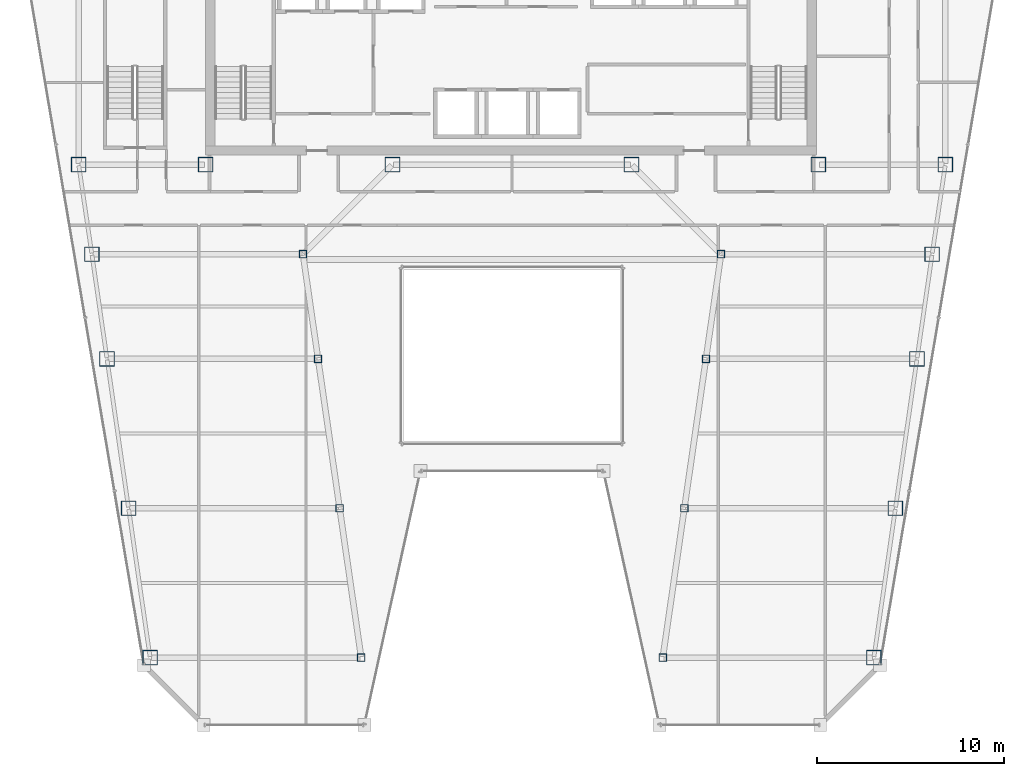
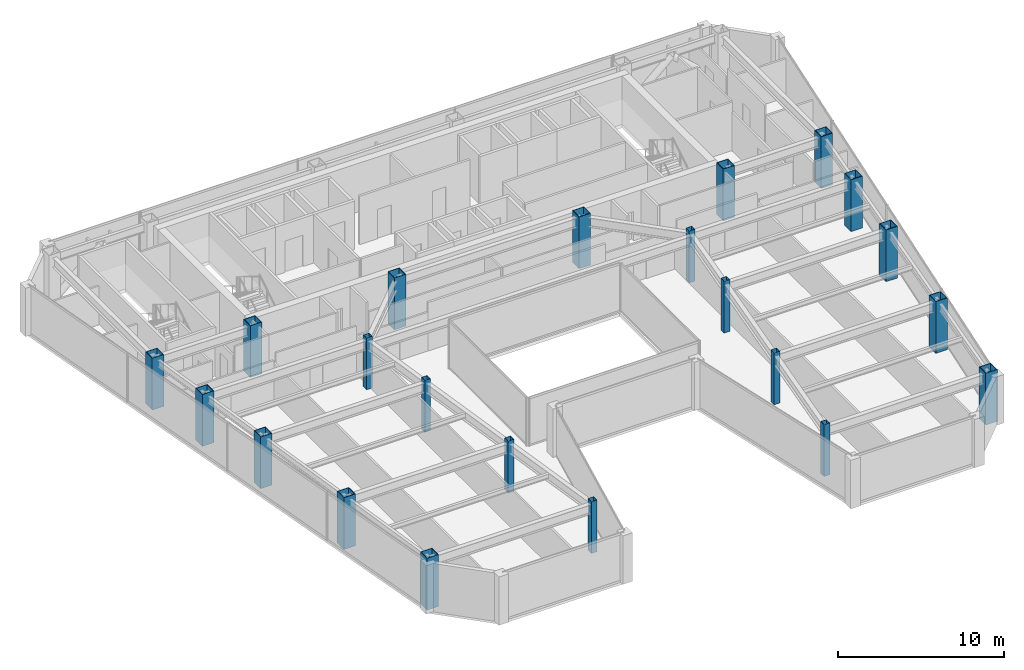
# One storey, part 1 of 36: 22 columns.
"""IFC4 building model written with IfcOpenShell, lengths in metres."""

from ifc_helpers import new_model, si_unit, direction, frame, origin, origin_2d, place, context, subcontext, project, spatial, hollow_rectangle, extrude, material, material_profile, profile_set, type_object, element, save


model = new_model("IFC4")

# Units and contexts
model_context = context("Model", 3, precision=1e-05, world=origin(), true_north=direction((0.0, 1.0)))
body_context = subcontext(model_context, "Body", "Model", "MODEL_VIEW")
ifc_project = project(units=[si_unit("LENGTHUNIT", "METRE"), si_unit("AREAUNIT", "SQUARE_METRE"), si_unit("VOLUMEUNIT", "CUBIC_METRE"), si_unit("PLANEANGLEUNIT", "RADIAN"), si_unit("MASSUNIT", "GRAM", prefix="KILO")], contexts=[model_context])

# Site, building, storey
site_placement = place(None, origin())
site = spatial("IfcSite", under=ifc_project, at=site_placement, CompositionType="ELEMENT")
building_placement = place(site_placement, origin())
building = spatial("IfcBuilding", under=site, at=building_placement, Name="Saevonmaru Cultural Tower", CompositionType="ELEMENT")
storey_placement = place(building_placement, frame((0.0, 0.0, 182.800048828125)))
storey = spatial("IfcBuildingStorey", under=building, at=storey_placement, Name="L41", CompositionType="ELEMENT", Elevation=182.800048828125)

# Columns
ifc_material_1 = material(Name="Steel SM420", Category="steel")
ifc_material_profile_1 = material_profile(ifc_material_1, hollow_rectangle(XDim=0.800048828125, YDim=0.800048828125, WallThickness=0.035888671875, at=origin_2d()), Name="BOX-800x800x36")
ifc_profile_set_1 = profile_set([ifc_material_profile_1], Name="Steel SM420")
column_type_1 = type_object("IfcColumnType", Name="COL-BOX-800", PredefinedType="COLUMN", material=ifc_profile_set_1)
for number, where, z_axis, x_axis, name in (
    (1, (6.800048828125, 42.39990234375, 0.0), (0.0, 0.0, 1.0), (1.0, 0.0, 0.0), "L41 Column TC-S1C"),
    (2, (13.60009765625, 42.39990234375, 0.0), (0.0, 0.0, 1.0), (1.0, 0.0, 0.0), "L41 Column TC-S2C"),
    (3, (23.60009765625, 42.39990234375, 0.0), (0.0, 0.0, 1.0), (1.0, 0.0, 0.0), "L41 Column TC-S3C"),
    (4, (36.39990234375, 42.39990234375, 0.0), (0.0, 0.0, 1.0), (1.0, 0.0, 0.0), "L41 Column TC-S4C"),
    (5, (46.39990234375, 42.39990234375, 0.0), (0.0, 0.0, 1.0), (1.0, 0.0, 0.0), "L41 Column TC-S5C"),
    (6, (53.199951171875, 42.39990234375, 0.0), (0.0, 0.0, 1.0), (1.0, 0.0, 0.0), "L41 Column TC-S6C"),
    (7, (10.6279296875, 16.0, 0.0), (0.0, 0.0, 1.0), (1.0, 0.0, 0.0), "L41 Column TC-WO-Y160"),
    (8, (49.3720703125, 16.0, 0.0), (0.0, 0.0, 1.0), (1.0, 0.0, 0.0), "L41 Column TC-EO-Y160"),
    (9, (9.471923828125, 24.0, 0.0), (0.0, 0.0, 1.0), (1.0, 0.0, 0.0), "L41 Column TC-WO-Y240"),
    (10, (50.528076171875, 24.0, 0.0), (0.0, 0.0, 1.0), (1.0, 0.0, 0.0), "L41 Column TC-EO-Y240"),
    (11, (8.31689453125, 32.0, 0.0), (0.0, 0.0, 1.0), (1.0, 0.0, 0.0), "L41 Column TC-WO-Y320"),
    (12, (51.68310546875, 32.0, 0.0), (0.0, 0.0, 1.0), (1.0, 0.0, 0.0), "L41 Column TC-EO-Y320"),
    (13, (7.508056640625, 37.60009765625, 0.0), (0.0, 0.0, 1.0), (1.0, 0.0, 0.0), "L41 Column TC-WO-Y376"),
    (14, (52.491943359375, 37.60009765625, 0.0), (0.0, 0.0, 1.0), (1.0, 0.0, 0.0), "L41 Column TC-EO-Y376"),
):
    element("IfcColumn", number, at=place(storey_placement, frame(where, z_axis=z_axis, x_axis=x_axis)), inside=storey, type_object=column_type_1, Name=name, PredefinedType="COLUMN", context=body_context, shape_type="SweptSolid", body=[
        extrude(hollow_rectangle(XDim=0.800048828125, YDim=0.800048828125, WallThickness=0.035888671875, at=origin_2d()), origin(), (0.0, 0.0, 1.0), 3.800048828125),
    ])
ifc_material_2 = material(Name="Steel SM355", Category="steel")
ifc_material_profile_2 = material_profile(ifc_material_2, hollow_rectangle(XDim=0.39990234375, YDim=0.39990234375, WallThickness=0.01611328125, at=origin_2d()), Name="SHS-400x400x16")
ifc_profile_set_2 = profile_set([ifc_material_profile_2], Name="Steel SM355")
column_type_2 = type_object("IfcColumnType", Name="COL-SHS-400", PredefinedType="COLUMN", material=ifc_profile_set_2)
for number, where, z_axis, x_axis, name in (
    (15, (21.927978515625, 16.0, 0.0), (0.0, 0.0, 1.0), (1.0, 0.0, 0.0), "L41 Column TC-WI-Y160"),
    (16, (38.072021484375, 16.0, 0.0), (0.0, 0.0, 1.0), (1.0, 0.0, 0.0), "L41 Column TC-EI-Y160"),
    (17, (20.77197265625, 24.0, 0.0), (0.0, 0.0, 1.0), (1.0, 0.0, 0.0), "L41 Column TC-WI-Y240"),
    (18, (39.22802734375, 24.0, 0.0), (0.0, 0.0, 1.0), (1.0, 0.0, 0.0), "L41 Column TC-EI-Y240"),
    (19, (19.616943359375, 32.0, 0.0), (0.0, 0.0, 1.0), (1.0, 0.0, 0.0), "L41 Column TC-WI-Y320"),
    (20, (40.383056640625, 32.0, 0.0), (0.0, 0.0, 1.0), (1.0, 0.0, 0.0), "L41 Column TC-EI-Y320"),
    (21, (18.80810546875, 37.60009765625, 0.0), (0.0, 0.0, 1.0), (1.0, 0.0, 0.0), "L41 Column TC-WI-Y376"),
    (22, (41.19189453125, 37.60009765625, 0.0), (0.0, 0.0, 1.0), (1.0, 0.0, 0.0), "L41 Column TC-EI-Y376"),
):
    element("IfcColumn", number, at=place(storey_placement, frame(where, z_axis=z_axis, x_axis=x_axis)), inside=storey, type_object=column_type_2, Name=name, PredefinedType="COLUMN", context=body_context, shape_type="SweptSolid", body=[
        extrude(hollow_rectangle(XDim=0.39990234375, YDim=0.39990234375, WallThickness=0.01611328125, at=origin_2d()), origin(), (0.0, 0.0, 1.0), 3.800048828125),
    ])

save(model, "model.ifc")
